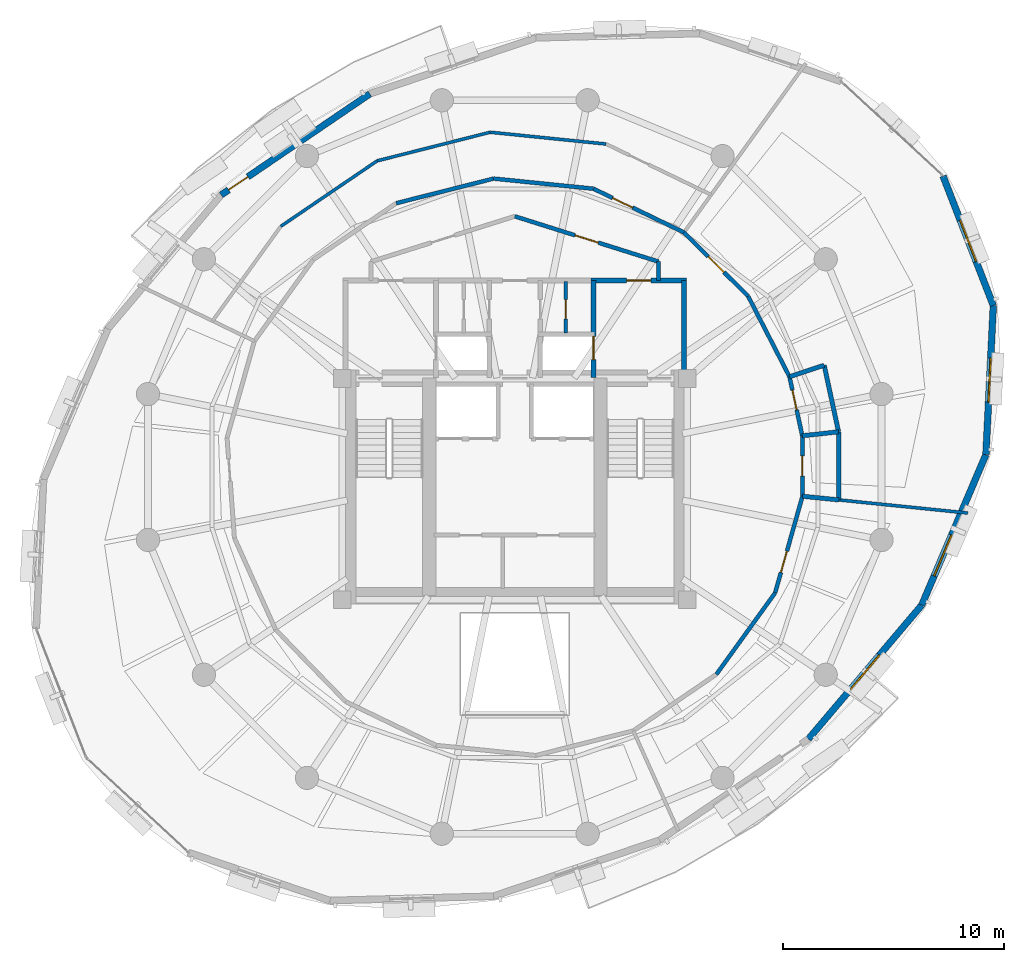
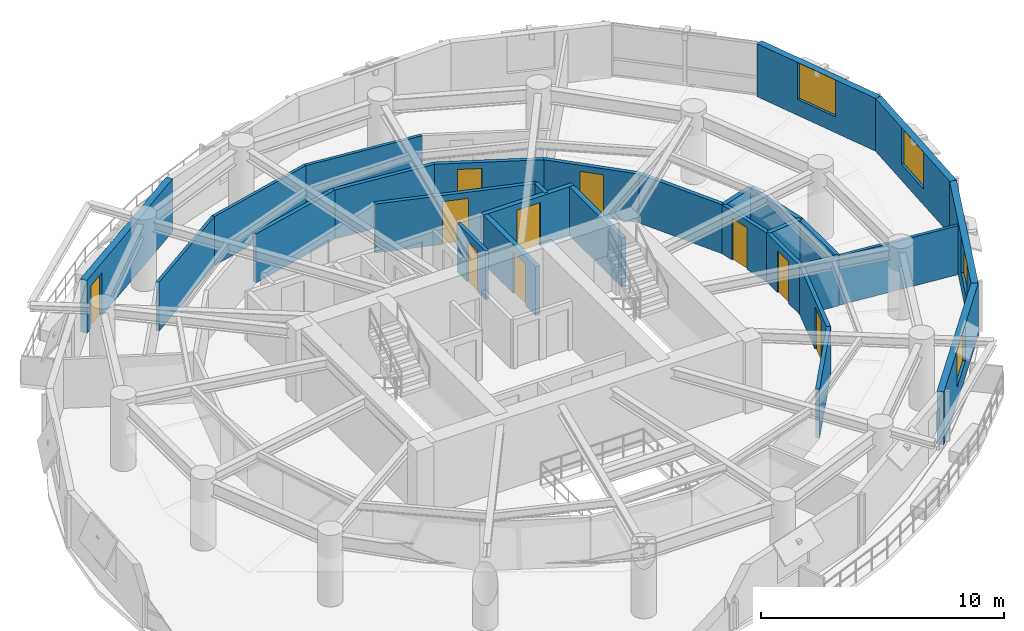
# One storey, part 9 of 12: 29 walls, 10 doors, 4 windows, 14 openings.
"""IFC4 building model written with IfcOpenShell, lengths in metres."""

from ifc_helpers import new_model, si_unit, direction, frame, frame_2d, origin, place, context, subcontext, project, spatial, rectangle, extrude, material, layer, layer_set, type_object, element, fill, save


model = new_model("IFC4")

# Units and contexts
model_context = context("Model", 3, precision=1e-05, world=origin(), true_north=direction((0.0, 1.0)))
body_context = subcontext(model_context, "Body", "Model", "MODEL_VIEW")
ifc_project = project(units=[si_unit("LENGTHUNIT", "METRE"), si_unit("AREAUNIT", "SQUARE_METRE"), si_unit("VOLUMEUNIT", "CUBIC_METRE"), si_unit("PLANEANGLEUNIT", "RADIAN"), si_unit("MASSUNIT", "GRAM", prefix="KILO"), si_unit("THERMODYNAMICTEMPERATUREUNIT", "KELVIN"), si_unit("POWERUNIT", "WATT")], contexts=[model_context])

# Site, building, storey
site_placement = place(None, origin())
site = spatial("IfcSite", under=ifc_project, at=site_placement, CompositionType="ELEMENT")
building_placement = place(site_placement, origin())
building = spatial("IfcBuilding", under=site, at=building_placement, Name="Ocrelia Relay Tower", CompositionType="ELEMENT")
storey_placement = place(building_placement, frame((0.0, 0.0, 177.199951171875)))
storey = spatial("IfcBuildingStorey", under=building, at=storey_placement, Name="L42", CompositionType="ELEMENT", Elevation=177.199951171875)

# Wall
ifc_material_1 = material(Name="Gypsum Fireboard Partition EI60", Category="gypsum")
ifc_layer_1 = layer(ifc_material_1, 0.179931640625, Name="Gypsum Fireboard Partition EI60")
ifc_layer_set_1 = layer_set([ifc_layer_1], Name="Gypsum Fireboard Partition EI60")
wall_type_1 = type_object("IfcWallType", Name="W-CORR-EI60-180", PredefinedType="PARTITIONING", material=ifc_layer_set_1)
wall_1_placement = place(storey_placement, frame((40.5, 35.280029296875, 0.0), z_axis=(0.0, 0.0, 1.0), x_axis=(0.0, -1.0, 0.0)))
element("IfcWall", 1, at=wall_1_placement, inside=storey, type_object=wall_type_1, Name="L42 Smoke Lobby East Return", PredefinedType="PARTITIONING", context=body_context, shape_type="SweptSolid", body=[
    extrude(rectangle(XDim=0.85009765625, YDim=0.179931640625, at=frame_2d((0.425048828125, 0.0))), origin(), (0.0, 0.0, 1.0), 2.4599609375),
])

# Wall, opening, door
wall_2_placement = place(storey_placement, frame((34.0, 37.330078125, 0.0), z_axis=(0.0, 0.0, 1.0), x_axis=(0.953691418528, -0.300786765376, 0.0)))
wall_2 = element("IfcWall", 2, at=wall_2_placement, inside=storey, type_object=wall_type_1, Name="L42 North Smoke Lobby E Screen Wall", PredefinedType="PARTITIONING", context=body_context, shape_type="SweptSolid", body=[
    extrude(rectangle(XDim=6.815673828125, YDim=0.179931640625, at=frame_2d((3.40771484375, 0.0))), origin(), (0.0, 0.0, 1.0), 2.4599609375),
])
opening_1_placement = place(wall_2_placement, frame((2.85791015625, 0.0, 0.0)))
opening_1 = element("IfcOpeningElement", 3, at=opening_1_placement, cuts=wall_2, Name="Opening D-FD60", PredefinedType="OPENING", context=body_context, shape_type="SweptSolid", body=[
    extrude(rectangle(XDim=1.10009765625, YDim=2.14990234375, at=frame_2d((0.550048828125, 1.074951171875))), frame((0.0, 0.10009765625, 0.0), z_axis=(0.0, -1.0, 0.0), x_axis=(1.0, 0.0, 0.0)), (0.0, 0.0, 1.0), 0.199951171875),
])
ifc_material_2 = material(Name="Timber-core 60-min acoustic fire door", Category="wood")
door_type_1 = type_object("IfcDoorType", Name="DR-LOBBY-FD60-1100", OperationType="NOTDEFINED", PredefinedType="DOOR", material=ifc_material_2)
door_1_placement = place(opening_1_placement, origin())
door_1 = element("IfcDoor", 4, at=door_1_placement, inside=storey, type_object=door_type_1, Name="L42 North Smoke Lobby E Fire Door", OperationType="SINGLE_SWING_RIGHT", OverallHeight=2.14990234375, OverallWidth=1.10009765625, PredefinedType="DOOR", context=body_context, shape_type="SweptSolid", body=[
    extrude(rectangle(XDim=1.10009765625, YDim=2.14990234375, at=frame_2d((0.550048828125, 1.074951171875))), frame((0.0, 0.02490234375, 0.0), z_axis=(0.0, -1.0, 0.0), x_axis=(1.0, 0.0, 0.0)), (0.0, 0.0, 1.0), 0.050048828125),
])
fill(opening_1, door_1)

wall_3_placement = place(storey_placement, frame((47.003173828125, 24.67919921875, 0.0), z_axis=(0.0, 0.0, 1.0), x_axis=(-0.003484610724, 0.999993928726, 0.0)))
wall_3 = element("IfcWall", 5, at=wall_3_placement, inside=storey, type_object=wall_type_1, Name="L42 Staff Toilet Corridor Wall", PredefinedType="PARTITIONING", context=body_context, shape_type="SweptSolid", body=[
    extrude(rectangle(XDim=2.732421875, YDim=0.179931640625, at=frame_2d((1.3662109375, 0.0))), origin(), (0.0, 0.0, 1.0), 2.4599609375),
])
opening_2_placement = place(wall_3_placement, frame((0.90625, 0.0, 0.0)))
opening_2 = element("IfcOpeningElement", 6, at=opening_2_placement, cuts=wall_3, Name="Opening D-WC92", PredefinedType="OPENING", context=body_context, shape_type="SweptSolid", body=[
    extrude(rectangle(XDim=0.919921875, YDim=2.10009765625, at=frame_2d((0.4599609375, 1.050048828125))), frame((0.0, 0.10009765625, 0.0), z_axis=(0.0, -1.0, 0.0), x_axis=(1.0, 0.0, 0.0)), (0.0, 0.0, 1.0), 0.199951171875),
])
ifc_material_3 = material(Name="Laminate washroom door", Category="wood")
door_type_2 = type_object("IfcDoorType", Name="DR-WC-920", OperationType="NOTDEFINED", PredefinedType="DOOR", material=ifc_material_3)
door_2_placement = place(opening_2_placement, origin())
door_2 = element("IfcDoor", 7, at=door_2_placement, inside=storey, type_object=door_type_2, Name="L42 Staff Toilet Door", OperationType="SINGLE_SWING_LEFT", OverallHeight=2.10009765625, OverallWidth=0.919921875, PredefinedType="DOOR", context=body_context, shape_type="SweptSolid", body=[
    extrude(rectangle(XDim=0.919921875, YDim=2.10009765625, at=frame_2d((0.4599609375, 1.050048828125))), frame((0.0, 0.02490234375, 0.0), z_axis=(0.0, -1.0, 0.0), x_axis=(1.0, 0.0, 0.0)), (0.0, 0.0, 1.0), 0.050048828125),
])
fill(opening_2, door_2)

wall_4_placement = place(storey_placement, frame((46.99365234375, 27.41162109375, 0.0), z_axis=(0.0, 0.0, 1.0), x_axis=(-0.211402002364, 0.977399198586, 0.0)))
wall_4 = element("IfcWall", 8, at=wall_4_placement, inside=storey, type_object=wall_type_1, Name="L42 Accessible Toilet Corridor Wall", PredefinedType="PARTITIONING", context=body_context, shape_type="SweptSolid", body=[
    extrude(rectangle(XDim=2.732421875, YDim=0.179931640625, at=frame_2d((1.3662109375, 0.0))), origin(), (0.0, 0.0, 1.0), 2.4599609375),
])
opening_3_placement = place(wall_4_placement, frame((1.196533203125, 0.0, 0.0)))
opening_3 = element("IfcOpeningElement", 9, at=opening_3_placement, cuts=wall_4, Name="Opening D-WC92", PredefinedType="OPENING", context=body_context, shape_type="SweptSolid", body=[
    extrude(rectangle(XDim=0.919921875, YDim=2.10009765625, at=frame_2d((0.4599609375, 1.050048828125))), frame((0.0, 0.10009765625, 0.0), z_axis=(0.0, -1.0, 0.0), x_axis=(1.0, 0.0, 0.0)), (0.0, 0.0, 1.0), 0.199951171875),
])
door_3_placement = place(opening_3_placement, origin())
door_3 = element("IfcDoor", 10, at=door_3_placement, inside=storey, type_object=door_type_2, Name="L42 Accessible Toilet Door", OperationType="SINGLE_SWING_RIGHT", OverallHeight=2.10009765625, OverallWidth=0.919921875, PredefinedType="DOOR", context=body_context, shape_type="SweptSolid", body=[
    extrude(rectangle(XDim=0.919921875, YDim=2.10009765625, at=frame_2d((0.4599609375, 1.050048828125))), frame((0.0, 0.02490234375, 0.0), z_axis=(0.0, -1.0, 0.0), x_axis=(1.0, 0.0, 0.0)), (0.0, 0.0, 1.0), 0.050048828125),
])
fill(opening_3, door_3)

# Wall
wall_5_placement = place(storey_placement, frame((46.416015625, 30.082275390625, 0.0), z_axis=(0.0, 0.0, 1.0), x_axis=(-0.457049842097, 0.889441083962, 0.0)))
element("IfcWall", 11, at=wall_5_placement, inside=storey, type_object=wall_type_1, Name="L42 Project Meeting Room Corridor Partition 1", PredefinedType="PARTITIONING", context=body_context, shape_type="SweptSolid", body=[
    extrude(rectangle(XDim=4.089111328125, YDim=0.179931640625, at=frame_2d((2.04443359375, 0.0))), origin(), (0.0, 0.0, 1.0), 2.4599609375),
])

# Wall, opening, door
wall_6_placement = place(storey_placement, frame((44.547119140625, 33.71923828125, 0.0), z_axis=(0.0, 0.0, 1.0), x_axis=(-0.709580149613, 0.704624730815, 0.0)))
wall_6 = element("IfcWall", 12, at=wall_6_placement, inside=storey, type_object=wall_type_1, Name="L42 Project Meeting Room Corridor Partition 2", PredefinedType="PARTITIONING", context=body_context, shape_type="SweptSolid", body=[
    extrude(rectangle(XDim=4.089111328125, YDim=0.179931640625, at=frame_2d((2.04443359375, 0.0))), origin(), (0.0, 0.0, 1.0), 2.4599609375),
])
opening_4_placement = place(wall_6_placement, frame((1.544677734375, 0.0, 0.0)))
opening_4 = element("IfcOpeningElement", 13, at=opening_4_placement, cuts=wall_6, Name="Opening D-RM100", PredefinedType="OPENING", context=body_context, shape_type="SweptSolid", body=[
    extrude(rectangle(XDim=1.0, YDim=2.14990234375, at=frame_2d((0.5, 1.074951171875))), frame((0.0, 0.10009765625, 0.0), z_axis=(0.0, -1.0, 0.0), x_axis=(1.0, 0.0, 0.0)), (0.0, 0.0, 1.0), 0.199951171875),
])
ifc_material_4 = material(Name="Acoustic oak veneer fire door", Category="wood")
door_type_3 = type_object("IfcDoorType", Name="DR-ROOM-FD60-1000", OperationType="NOTDEFINED", PredefinedType="DOOR", material=ifc_material_4)
door_4_placement = place(opening_4_placement, origin())
door_4 = element("IfcDoor", 14, at=door_4_placement, inside=storey, type_object=door_type_3, Name="L42 Project Meeting Room Entrance Door", OperationType="SINGLE_SWING_LEFT", OverallHeight=2.14990234375, OverallWidth=1.0, PredefinedType="DOOR", context=body_context, shape_type="SweptSolid", body=[
    extrude(rectangle(XDim=1.0, YDim=2.14990234375, at=frame_2d((0.5, 1.074951171875))), frame((0.0, 0.02490234375, 0.0), z_axis=(0.0, -1.0, 0.0), x_axis=(1.0, 0.0, 0.0)), (0.0, 0.0, 1.0), 0.050048828125),
])
fill(opening_4, door_4)

wall_7_placement = place(storey_placement, frame((41.6455078125, 36.6005859375, 0.0), z_axis=(0.0, 0.0, 1.0), x_axis=(-0.9003278794, 0.435212258071, 0.0)))
wall_7 = element("IfcWall", 15, at=wall_7_placement, inside=storey, type_object=wall_type_1, Name="L42 Cybersecurity Conference Room Corridor Partition 1", PredefinedType="PARTITIONING", context=body_context, shape_type="SweptSolid", body=[
    extrude(rectangle(XDim=4.539306640625, YDim=0.179931640625, at=frame_2d((2.26953125, 0.0))), origin(), (0.0, 0.0, 1.0), 2.4599609375),
])
opening_5_placement = place(wall_7_placement, frame((2.579345703125, 0.0, 0.0)))
opening_5 = element("IfcOpeningElement", 16, at=opening_5_placement, cuts=wall_7, Name="Opening D-RM100", PredefinedType="OPENING", context=body_context, shape_type="SweptSolid", body=[
    extrude(rectangle(XDim=1.0, YDim=2.14990234375, at=frame_2d((0.5, 1.074951171875))), frame((0.0, 0.10009765625, 0.0), z_axis=(0.0, -1.0, 0.0), x_axis=(1.0, 0.0, 0.0)), (0.0, 0.0, 1.0), 0.199951171875),
])
door_5_placement = place(opening_5_placement, origin())
door_5 = element("IfcDoor", 17, at=door_5_placement, inside=storey, type_object=door_type_3, Name="L42 Cybersecurity Conference Room Entrance Door", OperationType="SINGLE_SWING_RIGHT", OverallHeight=2.14990234375, OverallWidth=1.0, PredefinedType="DOOR", context=body_context, shape_type="SweptSolid", body=[
    extrude(rectangle(XDim=1.0, YDim=2.14990234375, at=frame_2d((0.5, 1.074951171875))), frame((0.0, 0.02490234375, 0.0), z_axis=(0.0, -1.0, 0.0), x_axis=(1.0, 0.0, 0.0)), (0.0, 0.0, 1.0), 0.050048828125),
])
fill(opening_5, door_5)

# Walls
for number, where, z_axis, x_axis, name in (
    (18, (37.55859375, 38.576171875, 0.0), (0.0, 0.0, 1.0), (-0.994879934128, 0.101063923676, 0.0), "L42 Cybersecurity Conference Room Corridor Partition 2"),
    (19, (33.042724609375, 39.034912109375, 0.0), (0.0, 0.0, 1.0), (-0.969442448199, -0.245318852987, 0.0), "L42 Cybersecurity Conference Room Corridor Partition 3"),
):
    element("IfcWall", number, at=place(storey_placement, frame(where, z_axis=z_axis, x_axis=x_axis)), inside=storey, type_object=wall_type_1, Name=name, PredefinedType="PARTITIONING", context=body_context, shape_type="SweptSolid", body=[
        extrude(rectangle(XDim=4.5390625, YDim=0.179931640625, at=frame_2d((2.26953125, 0.0))), origin(), (0.0, 0.0, 1.0), 2.4599609375),
    ])
wall_8_placement = place(storey_placement, frame((43.11181640625, 16.6298828125, 0.0), z_axis=(0.0, 0.0, 1.0), x_axis=(0.584956294623, 0.811064814538, 0.0)))
element("IfcWall", 20, at=wall_8_placement, inside=storey, type_object=wall_type_1, Name="L42 Shift Staff Lounge Corridor Partition 2", PredefinedType="PARTITIONING", context=body_context, shape_type="SweptSolid", body=[
    extrude(rectangle(XDim=4.539306640625, YDim=0.179931640625, at=frame_2d((2.26953125, 0.0))), origin(), (0.0, 0.0, 1.0), 2.4599609375),
])

# Wall, opening, door
wall_9_placement = place(storey_placement, frame((45.76708984375, 20.3115234375, 0.0), z_axis=(0.0, 0.0, 1.0), x_axis=(0.272312130747, 0.962208970779, 0.0)))
wall_9 = element("IfcWall", 21, at=wall_9_placement, inside=storey, type_object=wall_type_1, Name="L42 Shift Staff Lounge Corridor Partition 3", PredefinedType="PARTITIONING", context=body_context, shape_type="SweptSolid", body=[
    extrude(rectangle(XDim=4.539306640625, YDim=0.179931640625, at=frame_2d((2.26953125, 0.0))), origin(), (0.0, 0.0, 1.0), 2.4599609375),
])
opening_6_placement = place(wall_9_placement, frame((0.959716796875, 0.0, 0.0)))
opening_6 = element("IfcOpeningElement", 22, at=opening_6_placement, cuts=wall_9, Name="Opening D-RM100", PredefinedType="OPENING", context=body_context, shape_type="SweptSolid", body=[
    extrude(rectangle(XDim=1.0, YDim=2.14990234375, at=frame_2d((0.5, 1.074951171875))), frame((0.0, 0.10009765625, 0.0), z_axis=(0.0, -1.0, 0.0), x_axis=(1.0, 0.0, 0.0)), (0.0, 0.0, 1.0), 0.199951171875),
])
door_6_placement = place(opening_6_placement, origin())
door_6 = element("IfcDoor", 23, at=door_6_placement, inside=storey, type_object=door_type_3, Name="L42 Shift Staff Lounge Entrance Door", OperationType="SINGLE_SWING_LEFT", OverallHeight=2.14990234375, OverallWidth=1.0, PredefinedType="DOOR", context=body_context, shape_type="SweptSolid", body=[
    extrude(rectangle(XDim=1.0, YDim=2.14990234375, at=frame_2d((0.5, 1.074951171875))), frame((0.0, 0.02490234375, 0.0), z_axis=(0.0, -1.0, 0.0), x_axis=(1.0, 0.0, 0.0)), (0.0, 0.0, 1.0), 0.050048828125),
])
fill(opening_6, door_6)

ifc_material_5 = material(Name="Precast concrete C40/50 with oxide terracotta", Category="masonry")
ifc_layer_2 = layer(ifc_material_5, 0.300048828125, Name="Precast concrete C40/50 with oxide terracotta")
ifc_layer_set_2 = layer_set([ifc_layer_2], Name="Precast concrete C40/50 with oxide terracotta")
wall_type_2 = type_object("IfcWallType", Name="W-EXT-TERR-300", PredefinedType="SOLIDWALL", material=ifc_layer_set_2)
wall_10_placement = place(storey_placement, frame((27.452392578125, 42.86376953125, 0.0), z_axis=(0.0, 0.0, 1.0), x_axis=(-0.827090739504, -0.56206841988, 0.0)))
wall_10 = element("IfcWall", 24, at=wall_10_placement, inside=storey, type_object=wall_type_2, Name="L42 Oxide Terracotta Facade Wall 05", PredefinedType="SOLIDWALL", context=body_context, shape_type="SweptSolid", body=[
    extrude(rectangle(XDim=8.126953125, YDim=0.300048828125, at=frame_2d((4.0634765625, 0.0))), origin(), (0.0, 0.0, 1.0), 2.66015625),
])
opening_7_placement = place(wall_10_placement, frame((6.669921875, 0.0, 0.0)))
opening_7 = element("IfcOpeningElement", 25, at=opening_7_placement, cuts=wall_10, Name="Opening DB-105", PredefinedType="OPENING", context=body_context, shape_type="SweptSolid", body=[
    extrude(rectangle(XDim=1.050048828125, YDim=2.14990234375, at=frame_2d((0.52490234375, 1.074951171875))), frame((0.0, 0.16015625, 0.0), z_axis=(0.0, -1.0, 0.0), x_axis=(1.0, 0.0, 0.0)), (0.0, 0.0, 1.0), 0.320068359375),
])
ifc_material_6 = material(Name="Thermally broken aluminium and clear glass", Category="aluminium")
door_type_4 = type_object("IfcDoorType", Name="DR-BALC-1050", OperationType="NOTDEFINED", PredefinedType="DOOR", material=ifc_material_6)
door_7_placement = place(opening_7_placement, origin())
door_7 = element("IfcDoor", 26, at=door_7_placement, inside=storey, type_object=door_type_4, Name="L42 Planted Loggia Balcony Door B1", OperationType="SINGLE_SWING_LEFT", OverallHeight=2.14990234375, OverallWidth=1.050048828125, PredefinedType="DOOR", context=body_context, shape_type="SweptSolid", body=[
    extrude(rectangle(XDim=1.050048828125, YDim=2.14990234375, at=frame_2d((0.52490234375, 1.074951171875))), frame((0.0, 0.02490234375, 0.0), z_axis=(0.0, -1.0, 0.0), x_axis=(1.0, 0.0, 0.0)), (0.0, 0.0, 1.0), 0.050048828125),
])
fill(opening_7, door_7)

# Wall, opening, window
wall_11_placement = place(storey_placement, frame((47.269287109375, 13.7041015625, 0.0), z_axis=(0.0, 0.0, 1.0), x_axis=(0.645997464581, 0.763339554691, 0.0)))
wall_11 = element("IfcWall", 27, at=wall_11_placement, inside=storey, type_object=wall_type_2, Name="L42 Oxide Terracotta Facade Wall 15", PredefinedType="SOLIDWALL", context=body_context, shape_type="SweptSolid", body=[
    extrude(rectangle(XDim=7.927001953125, YDim=0.300048828125, at=frame_2d((3.96337890625, 0.0))), origin(), (0.0, 0.0, 1.0), 2.66015625),
])
opening_8_placement = place(wall_11_placement, frame((2.964111328125, 0.0, 0.800048828125)))
opening_8 = element("IfcOpeningElement", 28, at=opening_8_placement, cuts=wall_11, Name="Opening W-03", PredefinedType="OPENING", context=body_context, shape_type="SweptSolid", body=[
    extrude(rectangle(XDim=2.0, YDim=1.85009765625, at=frame_2d((1.0, 0.925048828125))), frame((0.0, 0.16015625, 0.0), z_axis=(0.0, -1.0, 0.0), x_axis=(1.0, 0.0, 0.0)), (0.0, 0.0, 1.0), 0.320068359375),
])
ifc_material_7 = material(Name="Clear double-glazed low-E glass", Category="glass")
window_type = type_object("IfcWindowType", Name="WIN-Z3-2000x2200", PartitioningType="DOUBLE_PANEL_VERTICAL", PredefinedType="WINDOW", material=ifc_material_7)
window_1_placement = place(opening_8_placement, origin())
window_1 = element("IfcWindow", 29, at=window_1_placement, inside=storey, type_object=window_type, Name="L42 Facade Module Window 15", OverallHeight=1.85009765625, OverallWidth=2.0, PartitioningType="SINGLE_PANEL", PredefinedType="WINDOW", context=body_context, shape_type="SweptSolid", body=[
    extrude(rectangle(XDim=2.0, YDim=1.85009765625, at=frame_2d((1.0, 0.925048828125))), frame((0.0, 0.030029296875, 0.0), z_axis=(0.0, -1.0, 0.0), x_axis=(1.0, 0.0, 0.0)), (0.0, 0.0, 1.0), 0.06005859375),
])
fill(opening_8, window_1)

wall_12_placement = place(storey_placement, frame((52.39013671875, 19.755126953125, 0.0), z_axis=(0.0, 0.0, 1.0), x_axis=(0.392433101066, 0.91978055056, 0.0)))
wall_12 = element("IfcWall", 30, at=wall_12_placement, inside=storey, type_object=wall_type_2, Name="L42 Oxide Terracotta Facade Wall 16", PredefinedType="SOLIDWALL", context=body_context, shape_type="SweptSolid", body=[
    extrude(rectangle(XDim=7.397705078125, YDim=0.300048828125, at=frame_2d((3.69873046875, 0.0))), origin(), (0.0, 0.0, 1.0), 2.66015625),
])
opening_9_placement = place(wall_12_placement, frame((1.43896484375, 0.0, 0.800048828125)))
opening_9 = element("IfcOpeningElement", 31, at=opening_9_placement, cuts=wall_12, Name="Opening W-03", PredefinedType="OPENING", context=body_context, shape_type="SweptSolid", body=[
    extrude(rectangle(XDim=2.0, YDim=1.85009765625, at=frame_2d((1.0, 0.925048828125))), frame((0.0, 0.16015625, 0.0), z_axis=(0.0, -1.0, 0.0), x_axis=(1.0, 0.0, 0.0)), (0.0, 0.0, 1.0), 0.320068359375),
])
window_2_placement = place(opening_9_placement, origin())
window_2 = element("IfcWindow", 32, at=window_2_placement, inside=storey, type_object=window_type, Name="L42 Facade Module Window 16", OverallHeight=1.85009765625, OverallWidth=2.0, PartitioningType="SINGLE_PANEL", PredefinedType="WINDOW", context=body_context, shape_type="SweptSolid", body=[
    extrude(rectangle(XDim=2.0, YDim=1.85009765625, at=frame_2d((1.0, 0.925048828125))), frame((0.0, 0.030029296875, 0.0), z_axis=(0.0, -1.0, 0.0), x_axis=(1.0, 0.0, 0.0)), (0.0, 0.0, 1.0), 0.06005859375),
])
fill(opening_9, window_2)

wall_13_placement = place(storey_placement, frame((55.293212890625, 26.559326171875, 0.0), z_axis=(0.0, 0.0, 1.0), x_axis=(0.049589188856, 0.998769699354, 0.0)))
wall_13 = element("IfcWall", 33, at=wall_13_placement, inside=storey, type_object=wall_type_2, Name="L42 Oxide Terracotta Facade Wall 17", PredefinedType="SOLIDWALL", context=body_context, shape_type="SweptSolid", body=[
    extrude(rectangle(XDim=6.744873046875, YDim=0.300048828125, at=frame_2d((3.37255859375, 0.0))), origin(), (0.0, 0.0, 1.0), 2.66015625),
])
opening_10_placement = place(wall_13_placement, frame((2.373046875, 0.0, 0.800048828125)))
opening_10 = element("IfcOpeningElement", 34, at=opening_10_placement, cuts=wall_13, Name="Opening W-03", PredefinedType="OPENING", context=body_context, shape_type="SweptSolid", body=[
    extrude(rectangle(XDim=2.0, YDim=1.85009765625, at=frame_2d((1.0, 0.925048828125))), frame((0.0, 0.16015625, 0.0), z_axis=(0.0, -1.0, 0.0), x_axis=(1.0, 0.0, 0.0)), (0.0, 0.0, 1.0), 0.320068359375),
])
window_3_placement = place(opening_10_placement, origin())
window_3 = element("IfcWindow", 35, at=window_3_placement, inside=storey, type_object=window_type, Name="L42 Facade Module Window 17", OverallHeight=1.85009765625, OverallWidth=2.0, PartitioningType="SINGLE_PANEL", PredefinedType="WINDOW", context=body_context, shape_type="SweptSolid", body=[
    extrude(rectangle(XDim=2.0, YDim=1.85009765625, at=frame_2d((1.0, 0.925048828125))), frame((0.0, 0.030029296875, 0.0), z_axis=(0.0, -1.0, 0.0), x_axis=(1.0, 0.0, 0.0)), (0.0, 0.0, 1.0), 0.06005859375),
])
fill(opening_10, window_3)

wall_14_placement = place(storey_placement, frame((55.627685546875, 33.2958984375, 0.0), z_axis=(0.0, 0.0, 1.0), x_axis=(-0.361924900887, 0.932207254916, 0.0)))
wall_14 = element("IfcWall", 36, at=wall_14_placement, inside=storey, type_object=wall_type_2, Name="L42 Oxide Terracotta Facade Wall 18", PredefinedType="SOLIDWALL", context=body_context, shape_type="SweptSolid", body=[
    extrude(rectangle(XDim=6.282958984375, YDim=0.300048828125, at=frame_2d((3.1416015625, 0.0))), origin(), (0.0, 0.0, 1.0), 2.66015625),
])
opening_11_placement = place(wall_14_placement, frame((2.14111328125, 0.0, 0.800048828125)))
opening_11 = element("IfcOpeningElement", 37, at=opening_11_placement, cuts=wall_14, Name="Opening W-03", PredefinedType="OPENING", context=body_context, shape_type="SweptSolid", body=[
    extrude(rectangle(XDim=2.0, YDim=1.85009765625, at=frame_2d((1.0, 0.925048828125))), frame((0.0, 0.16015625, 0.0), z_axis=(0.0, -1.0, 0.0), x_axis=(1.0, 0.0, 0.0)), (0.0, 0.0, 1.0), 0.320068359375),
])
window_4_placement = place(opening_11_placement, origin())
window_4 = element("IfcWindow", 38, at=window_4_placement, inside=storey, type_object=window_type, Name="L42 Facade Module Window 18", OverallHeight=1.85009765625, OverallWidth=2.0, PartitioningType="SINGLE_PANEL", PredefinedType="WINDOW", context=body_context, shape_type="SweptSolid", body=[
    extrude(rectangle(XDim=2.0, YDim=1.85009765625, at=frame_2d((1.0, 0.925048828125))), frame((0.0, 0.030029296875, 0.0), z_axis=(0.0, -1.0, 0.0), x_axis=(1.0, 0.0, 0.0)), (0.0, 0.0, 1.0), 0.06005859375),
])
fill(opening_11, window_4)

# Wall, opening, door
ifc_material_8 = material(Name="Concrete C50/60", Category="concrete")
ifc_layer_3 = layer(ifc_material_8, 0.219970703125, Name="Concrete C50/60")
ifc_layer_set_3 = layer_set([ifc_layer_3], Name="Concrete C50/60")
wall_type_3 = type_object("IfcWallType", Name="W-FFL-EI120-220", PredefinedType="SOLIDWALL", material=ifc_layer_set_3)
wall_15_placement = place(storey_placement, frame((37.56005859375, 30.050048828125, 0.0), z_axis=(0.0, 0.0, 1.0), x_axis=(0.0, 1.0, 0.0)))
wall_15 = element("IfcWall", 39, at=wall_15_placement, inside=storey, type_object=wall_type_3, Name="L42 E Fire Service Lift Lobby West Wall", PredefinedType="SOLIDWALL", context=body_context, shape_type="SweptSolid", body=[
    extrude(rectangle(XDim=4.3798828125, YDim=0.219970703125, at=frame_2d((2.18994140625, 0.0))), origin(), (0.0, 0.0, 1.0), 2.4599609375),
])
opening_12_placement = place(wall_15_placement, frame((0.800048828125, 0.0, 0.0)))
opening_12 = element("IfcOpeningElement", 40, at=opening_12_placement, cuts=wall_15, Name="Opening LD-FFL2", PredefinedType="OPENING", context=body_context, shape_type="SweptSolid", body=[
    extrude(rectangle(XDim=1.050048828125, YDim=2.10009765625, at=frame_2d((0.52490234375, 1.050048828125))), frame((0.0, 0.1201171875, 0.0), z_axis=(0.0, -1.0, 0.0), x_axis=(1.0, 0.0, 0.0)), (0.0, 0.0, 1.0), 0.239990234375),
])
ifc_material_9 = material(Name="Brushed stainless steel S355 lift landing door", Category="steel")
door_type_5 = type_object("IfcDoorType", Name="DR-LIFT-LAND-1050", OperationType="DOUBLE_DOOR_SLIDING", PredefinedType="USERDEFINED", material=ifc_material_9)
door_8_placement = place(opening_12_placement, origin())
door_8 = element("IfcDoor", 41, at=door_8_placement, inside=storey, type_object=door_type_5, Name="L42 Firefighting Lift FFL2 Sliding Landing Door", ObjectType="LANDING DOOR", OperationType="DOUBLE_DOOR_SLIDING", OverallHeight=2.10009765625, OverallWidth=1.050048828125, PredefinedType="USERDEFINED", context=body_context, shape_type="SweptSolid", body=[
    extrude(rectangle(XDim=1.050048828125, YDim=2.10009765625, at=frame_2d((0.52490234375, 1.050048828125))), frame((0.0, 0.02490234375, 0.0), z_axis=(0.0, -1.0, 0.0), x_axis=(1.0, 0.0, 0.0)), (0.0, 0.0, 1.0), 0.050048828125),
])
fill(opening_12, door_8)

# Wall
wall_16_placement = place(storey_placement, frame((41.64990234375, 30.050048828125, 0.0), z_axis=(0.0, 0.0, 1.0), x_axis=(0.0, 1.0, 0.0)))
element("IfcWall", 42, at=wall_16_placement, inside=storey, type_object=wall_type_3, Name="L42 E Fire Service Lift Lobby East Wall", PredefinedType="SOLIDWALL", context=body_context, shape_type="SweptSolid", body=[
    extrude(rectangle(XDim=4.3798828125, YDim=0.219970703125, at=frame_2d((2.18994140625, 0.0))), origin(), (0.0, 0.0, 1.0), 2.4599609375),
])

# Wall, opening, door
wall_17_placement = place(storey_placement, frame((37.449951171875, 34.429931640625, 0.0), z_axis=(0.0, 0.0, 1.0), x_axis=(1.0, 0.0, 0.0)))
wall_17 = element("IfcWall", 43, at=wall_17_placement, inside=storey, type_object=wall_type_3, Name="L42 E Fire Service Lift Lobby North Wall", PredefinedType="SOLIDWALL", context=body_context, shape_type="SweptSolid", body=[
    extrude(rectangle(XDim=4.31005859375, YDim=0.219970703125, at=frame_2d((2.155029296875, 0.0))), origin(), (0.0, 0.0, 1.0), 2.4599609375),
])
opening_13_placement = place(wall_17_placement, frame((1.60009765625, 0.0, 0.0)))
opening_13 = element("IfcOpeningElement", 44, at=opening_13_placement, cuts=wall_17, Name="Opening D-FD60", PredefinedType="OPENING", context=body_context, shape_type="SweptSolid", body=[
    extrude(rectangle(XDim=1.10009765625, YDim=2.14990234375, at=frame_2d((0.550048828125, 1.074951171875))), frame((0.0, 0.1201171875, 0.0), z_axis=(0.0, -1.0, 0.0), x_axis=(1.0, 0.0, 0.0)), (0.0, 0.0, 1.0), 0.239990234375),
])
door_9_placement = place(opening_13_placement, origin())
door_9 = element("IfcDoor", 45, at=door_9_placement, inside=storey, type_object=door_type_1, Name="L42 E Fire Service Lift Lobby Exit Door", OperationType="SINGLE_SWING_RIGHT", OverallHeight=2.14990234375, OverallWidth=1.10009765625, PredefinedType="DOOR", context=body_context, shape_type="SweptSolid", body=[
    extrude(rectangle(XDim=1.10009765625, YDim=2.14990234375, at=frame_2d((0.550048828125, 1.074951171875))), frame((0.0, 0.02490234375, 0.0), z_axis=(0.0, -1.0, 0.0), x_axis=(1.0, 0.0, 0.0)), (0.0, 0.0, 1.0), 0.050048828125),
])
fill(opening_13, door_9)

# Walls
ifc_material_10 = material(Name="Acoustic Fireboard Partition EI60", Category="gypsum")
ifc_layer_4 = layer(ifc_material_10, 0.139892578125, Name="Acoustic Fireboard Partition EI60")
ifc_layer_set_4 = layer_set([ifc_layer_4], Name="Acoustic Fireboard Partition EI60")
wall_type_4 = type_object("IfcWallType", Name="W-PART-140", PredefinedType="PARTITIONING", material=ifc_layer_set_4)
wall_18_placement = place(storey_placement, frame((48.64453125, 24.512451171875, 0.0), z_axis=(0.0, 0.0, 1.0), x_axis=(0.994882546753, -0.101038201519, 0.0)))
element("IfcWall", 46, at=wall_18_placement, inside=storey, type_object=wall_type_4, Name="L42 Project Meeting Room Radial Partition", PredefinedType="PARTITIONING", context=body_context, shape_type="SweptSolid", body=[
    extrude(rectangle(XDim=5.859619140625, YDim=0.139892578125, at=frame_2d((2.9296875, 0.0))), origin(), (0.0, 0.0, 1.0), 2.4599609375),
])
wall_19_placement = place(storey_placement, frame((38.130615234375, 40.5966796875, 0.0), z_axis=(0.0, 0.0, 1.0), x_axis=(-0.994875317552, 0.101109359241, 0.0)))
element("IfcWall", 47, at=wall_19_placement, inside=storey, type_object=wall_type_4, Name="L42 Perimeter Cybersecurity Conference Room Mid-Ring Partition 2", PredefinedType="PARTITIONING", context=body_context, shape_type="SweptSolid", body=[
    extrude(rectangle(XDim=5.268798828125, YDim=0.139892578125, at=frame_2d((2.63427734375, 0.0))), origin(), (0.0, 0.0, 1.0), 2.4599609375),
])
wall_20_placement = place(storey_placement, frame((32.888916015625, 41.12939453125, 0.0), z_axis=(0.0, 0.0, 1.0), x_axis=(-0.969440652954, -0.245325947263, 0.0)))
element("IfcWall", 48, at=wall_20_placement, inside=storey, type_object=wall_type_4, Name="L42 Perimeter Cybersecurity Conference Room Mid-Ring Partition 3", PredefinedType="PARTITIONING", context=body_context, shape_type="SweptSolid", body=[
    extrude(rectangle(XDim=5.268310546875, YDim=0.139892578125, at=frame_2d((2.63427734375, 0.0))), origin(), (0.0, 0.0, 1.0), 2.4599609375),
])
wall_21_placement = place(storey_placement, frame((27.781494140625, 39.8369140625, 0.0), z_axis=(0.0, 0.0, 1.0), x_axis=(-0.827069550148, -0.562099599019, 0.0)))
element("IfcWall", 49, at=wall_21_placement, inside=storey, type_object=wall_type_4, Name="L42 Perimeter Cybersecurity Conference Room Mid-Ring Partition 4", PredefinedType="PARTITIONING", context=body_context, shape_type="SweptSolid", body=[
    extrude(rectangle(XDim=5.2685546875, YDim=0.139892578125, at=frame_2d((2.63427734375, 0.0))), origin(), (0.0, 0.0, 1.0), 2.4599609375),
])

# Wall, opening, door
ifc_layer_5 = layer(ifc_material_10, 0.14990234375, Name="Acoustic Fireboard Partition EI60")
ifc_layer_set_5 = layer_set([ifc_layer_5], Name="Acoustic Fireboard Partition EI60")
wall_type_5 = type_object("IfcWallType", Name="W-PART-150", PredefinedType="PARTITIONING", material=ifc_layer_set_5)
wall_22_placement = place(storey_placement, frame((36.31005859375, 32.050048828125, 0.0), z_axis=(0.0, 0.0, 1.0), x_axis=(0.0, 1.0, 0.0)))
wall_22 = element("IfcWall", 50, at=wall_22_placement, inside=storey, type_object=wall_type_5, Name="L42 East Core Support Partition", PredefinedType="PARTITIONING", context=body_context, shape_type="SweptSolid", body=[
    extrude(rectangle(XDim=2.329833984375, YDim=0.14990234375, at=frame_2d((1.1650390625, 0.0))), origin(), (0.0, 0.0, 1.0), 2.4599609375),
])
opening_14_placement = place(wall_22_placement, frame((0.64990234375, 0.0, 0.0)))
opening_14 = element("IfcOpeningElement", 51, at=opening_14_placement, cuts=wall_22, Name="Opening D-RS86", PredefinedType="OPENING", context=body_context, shape_type="SweptSolid", body=[
    extrude(rectangle(XDim=0.860107421875, YDim=2.050048828125, at=frame_2d((0.43017578125, 1.02490234375))), frame((0.0, 0.0849609375, 0.0), z_axis=(0.0, -1.0, 0.0), x_axis=(1.0, 0.0, 0.0)), (0.0, 0.0, 1.0), 0.169921875),
])
ifc_material_11 = material(Name="Steel S355 riser access fire door", Category="steel")
door_type_6 = type_object("IfcDoorType", Name="DR-RISER-TRAP-860", OperationType="NOTDEFINED", PredefinedType="TRAPDOOR", material=ifc_material_11)
door_10_placement = place(opening_14_placement, origin())
door_10 = element("IfcDoor", 52, at=door_10_placement, inside=storey, type_object=door_type_6, Name="L42 East Core Store Connecting Door", OperationType="SINGLE_SWING_RIGHT", OverallHeight=2.050048828125, OverallWidth=0.860107421875, PredefinedType="TRAPDOOR", context=body_context, shape_type="SweptSolid", body=[
    extrude(rectangle(XDim=0.860107421875, YDim=2.050048828125, at=frame_2d((0.43017578125, 1.02490234375))), frame((0.0, 0.02490234375, 0.0), z_axis=(0.0, -1.0, 0.0), x_axis=(1.0, 0.0, 0.0)), (0.0, 0.0, 1.0), 0.050048828125),
])
fill(opening_14, door_10)

# Walls
ifc_material_12 = material(Name="Moisture-Resistant Fireboard Chase Wall EI60", Category="gypsum")
ifc_layer_6 = layer(ifc_material_12, 0.199951171875, Name="Moisture-Resistant Fireboard Chase Wall EI60")
ifc_layer_set_6 = layer_set([ifc_layer_6], Name="Moisture-Resistant Fireboard Chase Wall EI60")
wall_type_6 = type_object("IfcWallType", Name="W-PLUMB-200", PredefinedType="PLUMBINGWALL", material=ifc_layer_set_6)
for number, where, z_axis, x_axis, name in (
    (53, (47.003173828125, 24.67919921875, 0.0), (0.0, 0.0, 1.0), (0.99487918279, -0.101071319626, 0.0), "L42 Staff Toilet Plumbing Radial Wall"),
    (54, (46.99365234375, 27.41162109375, 0.0), (0.0, 0.0, 1.0), (0.994147918486, 0.108027386201, 0.0), "L42 Staff Toilet Plumbing Radial Wall"),
):
    element("IfcWall", number, at=place(storey_placement, frame(where, z_axis=z_axis, x_axis=x_axis)), inside=storey, type_object=wall_type_6, Name=name, PredefinedType="PLUMBINGWALL", context=body_context, shape_type="SweptSolid", body=[
        extrude(rectangle(XDim=1.64990234375, YDim=0.199951171875, at=frame_2d((0.824951171875, 0.0))), origin(), (0.0, 0.0, 1.0), 2.4599609375),
    ])
wall_23_placement = place(storey_placement, frame((48.64453125, 24.512451171875, 0.0), z_axis=(0.0, 0.0, 1.0), x_axis=(-0.003490657036, 0.999993907638, 0.0)))
element("IfcWall", 55, at=wall_23_placement, inside=storey, type_object=wall_type_6, Name="L42 Staff Toilet Back Plumbing Wall", PredefinedType="PLUMBINGWALL", context=body_context, shape_type="SweptSolid", body=[
    extrude(rectangle(XDim=3.077392578125, YDim=0.199951171875, at=frame_2d((1.53857421875, 0.0))), origin(), (0.0, 0.0, 1.0), 2.4599609375),
])
wall_24_placement = place(storey_placement, frame((46.416015625, 30.082275390625, 0.0), z_axis=(0.0, 0.0, 1.0), x_axis=(0.94997720426, 0.312319245942, 0.0)))
element("IfcWall", 56, at=wall_24_placement, inside=storey, type_object=wall_type_6, Name="L42 Accessible Toilet Plumbing Radial Wall", PredefinedType="PLUMBINGWALL", context=body_context, shape_type="SweptSolid", body=[
    extrude(rectangle(XDim=1.650146484375, YDim=0.199951171875, at=frame_2d((0.8251953125, 0.0))), origin(), (0.0, 0.0, 1.0), 2.4599609375),
])
wall_25_placement = place(storey_placement, frame((48.6337890625, 27.58984375, 0.0), z_axis=(0.0, 0.0, 1.0), x_axis=(-0.211273386568, 0.977427008082, 0.0)))
element("IfcWall", 57, at=wall_25_placement, inside=storey, type_object=wall_type_6, Name="L42 Accessible Toilet Back Plumbing Wall", PredefinedType="PLUMBINGWALL", context=body_context, shape_type="SweptSolid", body=[
    extrude(rectangle(XDim=3.077392578125, YDim=0.199951171875, at=frame_2d((1.53857421875, 0.0))), origin(), (0.0, 0.0, 1.0), 2.4599609375),
])

save(model, "model.ifc")
